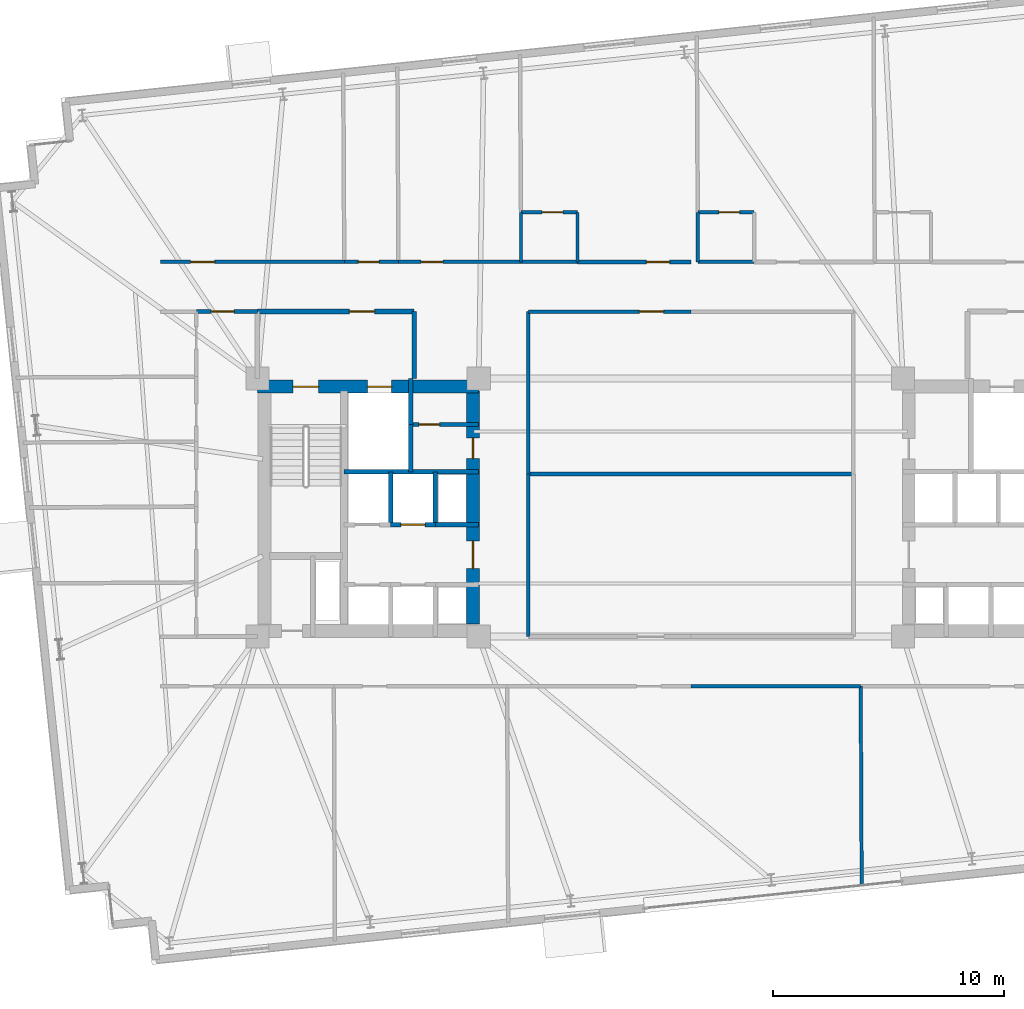
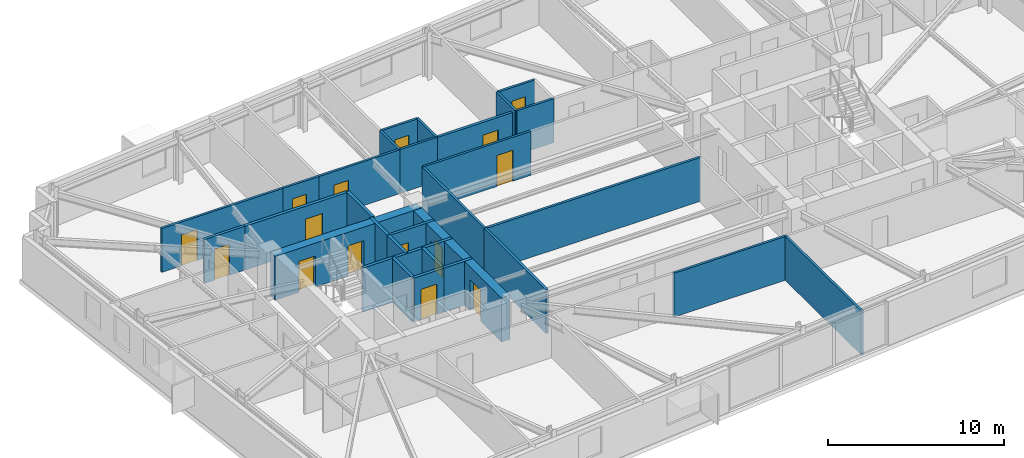
# One storey, part 17 of 23: 30 walls, 15 doors, 15 openings.
"""IFC4 building model written with IfcOpenShell, lengths in metres."""

from ifc_helpers import new_model, si_unit, direction, frame, frame_2d, origin, place, context, subcontext, project, spatial, rectangle, extrude, material, layer, layer_set, type_object, element, fill, save


model = new_model("IFC4")

# Units and contexts
model_context = context("Model", 3, precision=1e-05, world=origin(), true_north=direction((0.0, 1.0)))
body_context = subcontext(model_context, "Body", "Model", "MODEL_VIEW")
ifc_project = project(units=[si_unit("LENGTHUNIT", "METRE"), si_unit("AREAUNIT", "SQUARE_METRE"), si_unit("VOLUMEUNIT", "CUBIC_METRE"), si_unit("PLANEANGLEUNIT", "RADIAN"), si_unit("MASSUNIT", "GRAM", prefix="KILO")], contexts=[model_context])

# Site, building, storey
site_placement = place(None, origin())
site = spatial("IfcSite", under=ifc_project, at=site_placement, CompositionType="ELEMENT")
building_placement = place(site_placement, origin())
building = spatial("IfcBuilding", under=site, at=building_placement, Name="Qobustan Lattice House", CompositionType="ELEMENT")
storey_placement = place(building_placement, frame((0.0, 0.0, 102.449951171875)))
storey = spatial("IfcBuildingStorey", under=building, at=storey_placement, Name="L28", CompositionType="ELEMENT", Elevation=102.449951171875)

# Wall, openings, doors
ifc_material_1 = material(Name="Concrete C60/75", Category="concrete")
ifc_layer_1 = layer(ifc_material_1, 0.56005859375)
ifc_layer_set_1 = layer_set([ifc_layer_1], Name="Concrete C60/75")
wall_type_1 = type_object("IfcWallType", Name="WAL-CORE-600", PredefinedType="SHEAR", material=ifc_layer_set_1)
wall_1_placement = place(storey_placement, frame((-18.800048828125, 5.239990234375, 0.0), z_axis=(0.0, 0.0, 1.0), x_axis=(1.0, 0.0, 0.0)))
wall_1 = element("IfcWall", 1, at=wall_1_placement, inside=storey, type_object=wall_type_1, Name="L28 split-core shear wall CW-N", PredefinedType="SHEAR", context=body_context, shape_type="SweptSolid", body=[
    extrude(rectangle(XDim=9.60009765625, YDim=0.56005859375, at=frame_2d((4.800048828125, 0.0))), origin(), (0.0, 0.0, 1.0), 3.045166015625),
])
opening_1_placement = place(wall_1_placement, frame((1.550048828125, 0.0, 0.0)))
opening_1 = element("IfcOpeningElement", 2, at=opening_1_placement, cuts=wall_1, Name="Opening SD-01", PredefinedType="OPENING", context=body_context, shape_type="SweptSolid", body=[
    extrude(rectangle(XDim=1.10009765625, YDim=2.14990234375, at=frame_2d((0.550048828125, 1.074951171875))), frame((0.0, 0.2900390625, 0.0), z_axis=(0.0, -1.0, 0.0), x_axis=(1.0, 0.0, 0.0)), (0.0, 0.0, 1.0), 0.580078125),
])
opening_2_placement = place(wall_1_placement, frame((4.77490234375, 0.0, 0.0)))
opening_2 = element("IfcOpeningElement", 3, at=opening_2_placement, cuts=wall_1, Name="Opening LD-01", PredefinedType="OPENING", context=body_context, shape_type="SweptSolid", body=[
    extrude(rectangle(XDim=1.050048828125, YDim=2.10009765625, at=frame_2d((0.52490234375, 1.050048828125))), frame((0.0, 0.2900390625, 0.0), z_axis=(0.0, -1.0, 0.0), x_axis=(1.0, 0.0, 0.0)), (0.0, 0.0, 1.0), 0.580078125),
])
ifc_material_2 = material(Name="Persian walnut timber and steel frame door", Category="steel")
door_type_1 = type_object("IfcDoorType", Name="DOR-LIFT-LD-1050x2100", OperationType="NOTDEFINED", PredefinedType="DOOR", material=ifc_material_2)
door_1_placement = place(opening_2_placement, origin())
door_1 = element("IfcDoor", 4, at=door_1_placement, inside=storey, type_object=door_type_1, Name="L28 firefighting lift FF-W landing door", OperationType="DOUBLE_DOOR_SLIDING", OverallHeight=2.10009765625, OverallWidth=1.050048828125, PredefinedType="DOOR", context=body_context, shape_type="SweptSolid", body=[
    extrude(rectangle(XDim=1.050048828125, YDim=2.10009765625, at=frame_2d((0.52490234375, 1.050048828125))), frame((0.0, 0.02490234375, 0.0), z_axis=(0.0, -1.0, 0.0), x_axis=(1.0, 0.0, 0.0)), (0.0, 0.0, 1.0), 0.050048828125),
])
fill(opening_2, door_1)
ifc_material_3 = material(Name="Persian walnut timber and steel frame door", Category="steel")
door_type_2 = type_object("IfcDoorType", Name="DOR-STAIR-FD-1100x2150", OperationType="NOTDEFINED", PredefinedType="DOOR", material=ifc_material_3)
door_2_placement = place(opening_1_placement, origin())
door_2 = element("IfcDoor", 5, at=door_2_placement, inside=storey, type_object=door_type_2, Name="L28 exit stair ST-W1 fire door", OperationType="SINGLE_SWING_LEFT", OverallHeight=2.14990234375, OverallWidth=1.10009765625, PredefinedType="DOOR", context=body_context, shape_type="SweptSolid", body=[
    extrude(rectangle(XDim=1.10009765625, YDim=2.14990234375, at=frame_2d((0.550048828125, 1.074951171875))), frame((0.0, 0.02490234375, 0.0), z_axis=(0.0, -1.0, 0.0), x_axis=(1.0, 0.0, 0.0)), (0.0, 0.0, 1.0), 0.050048828125),
])
fill(opening_1, door_2)

wall_2_placement = place(storey_placement, frame((-9.449951171875, -5.050048828125, 0.0), z_axis=(0.0, 0.0, 1.0), x_axis=(0.0, 1.0, 0.0)))
wall_2 = element("IfcWall", 6, at=wall_2_placement, inside=storey, type_object=wall_type_1, Name="L28 split-core shear wall CW-E", PredefinedType="SHEAR", context=body_context, shape_type="SweptSolid", body=[
    extrude(rectangle(XDim=10.10009765625, YDim=0.56005859375, at=frame_2d((5.050048828125, 0.0))), origin(), (0.0, 0.0, 1.0), 3.045166015625),
])
opening_3_placement = place(wall_2_placement, frame((7.175048828125, 0.0, 0.0)))
opening_3 = element("IfcOpeningElement", 7, at=opening_3_placement, cuts=wall_2, Name="Opening RD-01", PredefinedType="OPENING", context=body_context, shape_type="SweptSolid", body=[
    extrude(rectangle(XDim=0.89990234375, YDim=2.10009765625, at=frame_2d((0.449951171875, 1.050048828125))), frame((0.0, 0.2900390625, 0.0), z_axis=(0.0, -1.0, 0.0), x_axis=(1.0, 0.0, 0.0)), (0.0, 0.0, 1.0), 0.580078125),
])
opening_4_placement = place(wall_2_placement, frame((2.39990234375, 0.0, 0.0)))
opening_4 = element("IfcOpeningElement", 8, at=opening_4_placement, cuts=wall_2, Name="Opening FD-01", PredefinedType="OPENING", context=body_context, shape_type="SweptSolid", body=[
    extrude(rectangle(XDim=1.199951171875, YDim=2.14990234375, at=frame_2d((0.60009765625, 1.074951171875))), frame((0.0, 0.2900390625, 0.0), z_axis=(0.0, -1.0, 0.0), x_axis=(1.0, 0.0, 0.0)), (0.0, 0.0, 1.0), 0.580078125),
])
ifc_material_4 = material(Name="Persian walnut timber and steel frame door", Category="steel")
door_type_3 = type_object("IfcDoorType", Name="DOR-LOBBY-FD-1200x2150", OperationType="NOTDEFINED", PredefinedType="DOOR", material=ifc_material_4)
door_3_placement = place(opening_4_placement, origin())
door_3 = element("IfcDoor", 9, at=door_3_placement, inside=storey, type_object=door_type_3, Name="L28 West passenger lift lobby fire door", OperationType="SINGLE_SWING_RIGHT", OverallHeight=2.14990234375, OverallWidth=1.199951171875, PredefinedType="DOOR", context=body_context, shape_type="SweptSolid", body=[
    extrude(rectangle(XDim=1.199951171875, YDim=2.14990234375, at=frame_2d((0.60009765625, 1.074951171875))), frame((0.0, 0.02490234375, 0.0), z_axis=(0.0, -1.0, 0.0), x_axis=(1.0, 0.0, 0.0)), (0.0, 0.0, 1.0), 0.050048828125),
])
fill(opening_4, door_3)
ifc_material_5 = material(Name="Persian walnut timber and steel frame door", Category="steel")
door_type_4 = type_object("IfcDoorType", Name="DOR-RISER-FD-900x2100", OperationType="NOTDEFINED", PredefinedType="DOOR", material=ifc_material_5)
door_4_placement = place(opening_3_placement, origin())
door_4 = element("IfcDoor", 10, at=door_4_placement, inside=storey, type_object=door_type_4, Name="L28 Core utility lobby fire door", OperationType="SINGLE_SWING_LEFT", OverallHeight=2.10009765625, OverallWidth=0.89990234375, PredefinedType="DOOR", context=body_context, shape_type="SweptSolid", body=[
    extrude(rectangle(XDim=0.89990234375, YDim=2.10009765625, at=frame_2d((0.449951171875, 1.050048828125))), frame((0.0, 0.02490234375, 0.0), z_axis=(0.0, -1.0, 0.0), x_axis=(1.0, 0.0, 0.0)), (0.0, 0.0, 1.0), 0.050048828125),
])
fill(opening_3, door_4)

# Wall, opening, door
ifc_material_6 = material(Name="Gypsum fireboard acoustic partition", Category="gypsum")
ifc_layer_2 = layer(ifc_material_6, 0.179931640625)
ifc_layer_set_2 = layer_set([ifc_layer_2], Name="Gypsum fireboard acoustic partition")
wall_type_2 = type_object("IfcWallType", Name="WAL-FIRE-180", PredefinedType="PARTITIONING", material=ifc_layer_set_2)
wall_3_placement = place(storey_placement, frame((-9.199951171875, 3.60009765625, 0.0), z_axis=(0.0, 0.0, 1.0), x_axis=(-1.0, 0.0, 0.0)))
wall_3 = element("IfcWall", 11, at=wall_3_placement, inside=storey, type_object=wall_type_2, Name="L28 interior partition 7", PredefinedType="PARTITIONING", context=body_context, shape_type="SweptSolid", body=[
    extrude(rectangle(XDim=2.949951171875, YDim=0.179931640625, at=frame_2d((1.47509765625, 0.0))), origin(), (0.0, 0.0, 1.0), 3.045166015625),
])
opening_5_placement = place(wall_3_placement, frame((1.699951171875, 0.0, 0.0)))
opening_5 = element("IfcOpeningElement", 12, at=opening_5_placement, cuts=wall_3, Name="Opening RD-01", PredefinedType="OPENING", context=body_context, shape_type="SweptSolid", body=[
    extrude(rectangle(XDim=0.89990234375, YDim=2.10009765625, at=frame_2d((0.449951171875, 1.050048828125))), frame((0.0, 0.099853515625, 0.0), z_axis=(0.0, -1.0, 0.0), x_axis=(1.0, 0.0, 0.0)), (0.0, 0.0, 1.0), 0.199951171875),
])
door_5_placement = place(opening_5_placement, origin())
door_5 = element("IfcDoor", 13, at=door_5_placement, inside=storey, type_object=door_type_4, Name="L28 Core utility lobby to Cleaner store door", OperationType="SINGLE_SWING_RIGHT", OverallHeight=2.10009765625, OverallWidth=0.89990234375, PredefinedType="DOOR", context=body_context, shape_type="SweptSolid", body=[
    extrude(rectangle(XDim=0.89990234375, YDim=2.10009765625, at=frame_2d((0.449951171875, 1.050048828125))), frame((0.0, 0.02490234375, 0.0), z_axis=(0.0, -1.0, 0.0), x_axis=(1.0, 0.0, 0.0)), (0.0, 0.0, 1.0), 0.050048828125),
])
fill(opening_5, door_5)

wall_4_placement = place(storey_placement, frame((-18.800048828125, 8.5, 0.0), z_axis=(0.0, 0.0, 1.0), x_axis=(-1.0, 0.0, 0.0)))
wall_4 = element("IfcWall", 14, at=wall_4_placement, inside=storey, type_object=wall_type_2, Name="L28 interior partition 37", PredefinedType="PARTITIONING", context=body_context, shape_type="SweptSolid", body=[
    extrude(rectangle(XDim=2.64990234375, YDim=0.179931640625, at=frame_2d((1.324951171875, 0.0))), origin(), (0.0, 0.0, 1.0), 3.045166015625),
])
opening_6_placement = place(wall_4_placement, frame((1.0087890625, 0.0, 0.0)))
opening_6 = element("IfcOpeningElement", 15, at=opening_6_placement, cuts=wall_4, Name="Opening FD-02", PredefinedType="OPENING", context=body_context, shape_type="SweptSolid", body=[
    extrude(rectangle(XDim=1.0, YDim=2.14990234375, at=frame_2d((0.5, 1.074951171875))), frame((0.0, 0.099853515625, 0.0), z_axis=(0.0, -1.0, 0.0), x_axis=(1.0, 0.0, 0.0)), (0.0, 0.0, 1.0), 0.199951171875),
])
ifc_material_7 = material(Name="Persian walnut timber and steel frame door", Category="steel")
door_type_5 = type_object("IfcDoorType", Name="DOR-UNIT-FD-1000x2150", OperationType="NOTDEFINED", PredefinedType="DOOR", material=ifc_material_7)
door_6_placement = place(opening_6_placement, origin())
door_6 = element("IfcDoor", 16, at=door_6_placement, inside=storey, type_object=door_type_5, Name="L28 North-west floor corridor to Residence entrance hall L28W door", OperationType="SINGLE_SWING_RIGHT", OverallHeight=2.14990234375, OverallWidth=1.0, PredefinedType="DOOR", context=body_context, shape_type="SweptSolid", body=[
    extrude(rectangle(XDim=1.0, YDim=2.14990234375, at=frame_2d((0.5, 1.074951171875))), frame((0.0, 0.02490234375, 0.0), z_axis=(0.0, -1.0, 0.0), x_axis=(1.0, 0.0, 0.0)), (0.0, 0.0, 1.0), 0.050048828125),
])
fill(opening_6, door_6)

wall_5_placement = place(storey_placement, frame((-4.9169921875, 10.64990234375, 0.0), z_axis=(0.0, 0.0, 1.0), x_axis=(1.0, 0.0, 0.0)))
wall_5 = element("IfcWall", 17, at=wall_5_placement, inside=storey, type_object=wall_type_2, Name="L28 interior partition 42", PredefinedType="PARTITIONING", context=body_context, shape_type="SweptSolid", body=[
    extrude(rectangle(XDim=4.9169921875, YDim=0.179931640625, at=frame_2d((2.45849609375, 0.0))), origin(), (0.0, 0.0, 1.0), 3.045166015625),
])
opening_7_placement = place(wall_5_placement, frame((2.992431640625, 0.0, 0.0)))
opening_7 = element("IfcOpeningElement", 18, at=opening_7_placement, cuts=wall_5, Name="Opening FD-02", PredefinedType="OPENING", context=body_context, shape_type="SweptSolid", body=[
    extrude(rectangle(XDim=1.0, YDim=2.14990234375, at=frame_2d((0.5, 1.074951171875))), frame((0.0, 0.099853515625, 0.0), z_axis=(0.0, -1.0, 0.0), x_axis=(1.0, 0.0, 0.0)), (0.0, 0.0, 1.0), 0.199951171875),
])
door_7_placement = place(opening_7_placement, origin())
door_7 = element("IfcDoor", 19, at=door_7_placement, inside=storey, type_object=door_type_5, Name="L28 North-west floor corridor to Kitchenette and studio apartment L28-N3 door", OperationType="SINGLE_SWING_RIGHT", OverallHeight=2.14990234375, OverallWidth=1.0, PredefinedType="DOOR", context=body_context, shape_type="SweptSolid", body=[
    extrude(rectangle(XDim=1.0, YDim=2.14990234375, at=frame_2d((0.5, 1.074951171875))), frame((0.0, 0.02490234375, 0.0), z_axis=(0.0, -1.0, 0.0), x_axis=(1.0, 0.0, 0.0)), (0.0, 0.0, 1.0), 0.050048828125),
])
fill(opening_7, door_7)

ifc_material_8 = material(Name="Acoustic twin-stud gypsum partition", Category="gypsum")
ifc_layer_3 = layer(ifc_material_8, 0.14990234375)
ifc_layer_set_3 = layer_set([ifc_layer_3], Name="Acoustic twin-stud gypsum partition")
wall_type_3 = type_object("IfcWallType", Name="WAL-PART-150", PredefinedType="PARTITIONING", material=ifc_layer_set_3)
wall_6_placement = place(storey_placement, frame((-23.0, 10.64990234375, 0.0), z_axis=(0.0, 0.0, 1.0), x_axis=(1.0, 0.0, 0.0)))
wall_6 = element("IfcWall", 20, at=wall_6_placement, inside=storey, type_object=wall_type_3, Name="L28 interior partition 39", PredefinedType="PARTITIONING", context=body_context, shape_type="SweptSolid", body=[
    extrude(rectangle(XDim=7.967041015625, YDim=0.14990234375, at=frame_2d((3.9833984375, 0.0))), origin(), (0.0, 0.0, 1.0), 3.045166015625),
])
opening_8_placement = place(wall_6_placement, frame((1.299560546875, 0.0, 0.0)))
opening_8 = element("IfcOpeningElement", 21, at=opening_8_placement, cuts=wall_6, Name="Opening ID-02", PredefinedType="OPENING", context=body_context, shape_type="SweptSolid", body=[
    extrude(rectangle(XDim=1.050048828125, YDim=2.14990234375, at=frame_2d((0.52490234375, 1.074951171875))), frame((0.0, 0.0849609375, 0.0), z_axis=(0.0, -1.0, 0.0), x_axis=(1.0, 0.0, 0.0)), (0.0, 0.0, 1.0), 0.169921875),
])
ifc_material_9 = material(Name="Persian walnut timber and steel frame door", Category="steel")
door_type_6 = type_object("IfcDoorType", Name="DOR-STUDY-1050x2150", OperationType="NOTDEFINED", PredefinedType="DOOR", material=ifc_material_9)
door_8_placement = place(opening_8_placement, origin())
door_8 = element("IfcDoor", 22, at=door_8_placement, inside=storey, type_object=door_type_6, Name="L28 North-west floor corridor to Focus study room N1 door", OperationType="SINGLE_SWING_LEFT", OverallHeight=2.14990234375, OverallWidth=1.050048828125, PredefinedType="DOOR", context=body_context, shape_type="SweptSolid", body=[
    extrude(rectangle(XDim=1.050048828125, YDim=2.14990234375, at=frame_2d((0.52490234375, 1.074951171875))), frame((0.0, 0.02490234375, 0.0), z_axis=(0.0, -1.0, 0.0), x_axis=(1.0, 0.0, 0.0)), (0.0, 0.0, 1.0), 0.050048828125),
])
fill(opening_8, door_8)

wall_7_placement = place(storey_placement, frame((-12.68310546875, 10.64990234375, 0.0), z_axis=(0.0, 0.0, 1.0), x_axis=(1.0, 0.0, 0.0)))
wall_7 = element("IfcWall", 23, at=wall_7_placement, inside=storey, type_object=wall_type_3, Name="L28 interior partition 41", PredefinedType="PARTITIONING", context=body_context, shape_type="SweptSolid", body=[
    extrude(rectangle(XDim=5.316162109375, YDim=0.14990234375, at=frame_2d((2.658203125, 0.0))), origin(), (0.0, 0.0, 1.0), 3.045166015625),
])
opening_9_placement = place(wall_7_placement, frame((0.980712890625, 0.0, 0.0)))
opening_9 = element("IfcOpeningElement", 24, at=opening_9_placement, cuts=wall_7, Name="Opening ID-01", PredefinedType="OPENING", context=body_context, shape_type="SweptSolid", body=[
    extrude(rectangle(XDim=0.949951171875, YDim=2.10009765625, at=frame_2d((0.47509765625, 1.050048828125))), frame((0.0, 0.0849609375, 0.0), z_axis=(0.0, -1.0, 0.0), x_axis=(1.0, 0.0, 0.0)), (0.0, 0.0, 1.0), 0.169921875),
])
ifc_material_10 = material(Name="Persian walnut timber and steel frame door", Category="steel")
door_type_7 = type_object("IfcDoorType", Name="DOR-ROOM-950x2100", OperationType="NOTDEFINED", PredefinedType="DOOR", material=ifc_material_10)
door_9_placement = place(opening_9_placement, origin())
door_9 = element("IfcDoor", 25, at=door_9_placement, inside=storey, type_object=door_type_7, Name="L28 North-west floor corridor to Laundry utility room door", OperationType="SINGLE_SWING_LEFT", OverallHeight=2.10009765625, OverallWidth=0.949951171875, PredefinedType="DOOR", context=body_context, shape_type="SweptSolid", body=[
    extrude(rectangle(XDim=0.949951171875, YDim=2.10009765625, at=frame_2d((0.47509765625, 1.050048828125))), frame((0.0, 0.02490234375, 0.0), z_axis=(0.0, -1.0, 0.0), x_axis=(1.0, 0.0, 0.0)), (0.0, 0.0, 1.0), 0.050048828125),
])
fill(opening_9, door_9)

wall_8_placement = place(storey_placement, frame((0.0, 8.5, 0.0), z_axis=(0.0, 0.0, 1.0), x_axis=(-1.0, 0.0, 0.0)))
wall_8 = element("IfcWall", 26, at=wall_8_placement, inside=storey, type_object=wall_type_3, Name="L28 interior partition 44", PredefinedType="PARTITIONING", context=body_context, shape_type="SweptSolid", body=[
    extrude(rectangle(XDim=7.050048828125, YDim=0.14990234375, at=frame_2d((3.52490234375, 0.0))), origin(), (0.0, 0.0, 1.0), 3.045166015625),
])
opening_10_placement = place(wall_8_placement, frame((1.18505859375, 0.0, 0.0)))
opening_10 = element("IfcOpeningElement", 27, at=opening_10_placement, cuts=wall_8, Name="Opening ID-02", PredefinedType="OPENING", context=body_context, shape_type="SweptSolid", body=[
    extrude(rectangle(XDim=1.050048828125, YDim=2.14990234375, at=frame_2d((0.52490234375, 1.074951171875))), frame((0.0, 0.0849609375, 0.0), z_axis=(0.0, -1.0, 0.0), x_axis=(1.0, 0.0, 0.0)), (0.0, 0.0, 1.0), 0.169921875),
])
door_10_placement = place(opening_10_placement, origin())
door_10 = element("IfcDoor", 28, at=door_10_placement, inside=storey, type_object=door_type_6, Name="L28 North-west floor corridor to Central collaborative study room door", OperationType="SINGLE_SWING_LEFT", OverallHeight=2.14990234375, OverallWidth=1.050048828125, PredefinedType="DOOR", context=body_context, shape_type="SweptSolid", body=[
    extrude(rectangle(XDim=1.050048828125, YDim=2.14990234375, at=frame_2d((0.52490234375, 1.074951171875))), frame((0.0, 0.02490234375, 0.0), z_axis=(0.0, -1.0, 0.0), x_axis=(1.0, 0.0, 0.0)), (0.0, 0.0, 1.0), 0.050048828125),
])
fill(opening_10, door_10)

# Walls
wall_9_placement = place(storey_placement, frame((7.366943359375, -7.75, 0.0), z_axis=(0.0, 0.0, 1.0), x_axis=(-1.0, 0.0, 0.0)))
element("IfcWall", 29, at=wall_9_placement, inside=storey, type_object=wall_type_3, Name="L28 interior partition 62", PredefinedType="PARTITIONING", context=body_context, shape_type="SweptSolid", body=[
    extrude(rectangle(XDim=7.366943359375, YDim=0.14990234375, at=frame_2d((3.68359375, 0.0))), origin(), (0.0, 0.0, 1.0), 3.045166015625),
])
wall_10_placement = place(storey_placement, frame((-7.050048828125, 8.5, 0.0), z_axis=(0.0, 0.0, 1.0), x_axis=(0.0, -1.0, 0.0)))
element("IfcWall", 30, at=wall_10_placement, inside=storey, type_object=wall_type_3, Name="L28 interior partition 66", PredefinedType="PARTITIONING", context=body_context, shape_type="SweptSolid", body=[
    extrude(rectangle(XDim=7.050048828125, YDim=0.14990234375, at=frame_2d((3.52490234375, 0.0))), origin(), (0.0, 0.0, 1.0), 3.045166015625),
])
wall_11_placement = place(storey_placement, frame((7.366943359375, -7.75, 0.0), z_axis=(0.0, 0.0, 1.0), x_axis=(0.005084967311, -0.99998707147, 0.0)))
element("IfcWall", 31, at=wall_11_placement, inside=storey, type_object=wall_type_3, Name="L28 interior partition 107", PredefinedType="PARTITIONING", context=body_context, shape_type="SweptSolid", body=[
    extrude(rectangle(XDim=8.64208984375, YDim=0.14990234375, at=frame_2d((4.321044921875, 0.0))), origin(), (0.0, 0.0, 1.0), 3.045166015625),
])
ifc_material_11 = material(Name="High-mass acoustic twin-stud partition", Category="gypsum")
ifc_layer_4 = layer(ifc_material_11, 0.1650390625)
ifc_layer_set_4 = layer_set([ifc_layer_4], Name="High-mass acoustic twin-stud partition")
wall_type_4 = type_object("IfcWallType", Name="WAL-PART-165", PredefinedType="PARTITIONING", material=ifc_layer_set_4)
wall_12_placement = place(storey_placement, frame((-7.050048828125, 1.449951171875, 0.0), z_axis=(0.0, 0.0, 1.0), x_axis=(0.0, -1.0, 0.0)))
element("IfcWall", 32, at=wall_12_placement, inside=storey, type_object=wall_type_4, Name="L28 interior partition 65", PredefinedType="PARTITIONING", context=body_context, shape_type="SweptSolid", body=[
    extrude(rectangle(XDim=7.050048828125, YDim=0.1650390625, at=frame_2d((3.52490234375, 0.0))), origin(), (0.0, 0.0, 1.0), 3.045166015625),
])
wall_13_placement = place(storey_placement, frame((-7.050048828125, 1.449951171875, 0.0), z_axis=(0.0, 0.0, 1.0), x_axis=(1.0, 0.0, 0.0)))
element("IfcWall", 33, at=wall_13_placement, inside=storey, type_object=wall_type_4, Name="L28 interior partition 108", PredefinedType="PARTITIONING", context=body_context, shape_type="SweptSolid", body=[
    extrude(rectangle(XDim=14.10009765625, YDim=0.1650390625, at=frame_2d((7.050048828125, 0.0))), origin(), (0.0, 0.0, 1.0), 3.045166015625),
])

# Wall, opening, door
ifc_material_12 = material(Name="Two-hour gypsum fireboard acoustic partition", Category="gypsum")
ifc_layer_5 = layer(ifc_material_12, 0.199951171875)
ifc_layer_set_5 = layer_set([ifc_layer_5], Name="Two-hour gypsum fireboard acoustic partition")
wall_type_5 = type_object("IfcWallType", Name="WAL-PROT-200", PredefinedType="PARTITIONING", material=ifc_layer_set_5)
wall_14_placement = place(storey_placement, frame((-12.0, 8.5, 0.0), z_axis=(0.0, 0.0, 1.0), x_axis=(-1.0, 0.0, 0.0)))
wall_14 = element("IfcWall", 34, at=wall_14_placement, inside=storey, type_object=wall_type_5, Name="L28 interior partition 4", PredefinedType="PARTITIONING", context=body_context, shape_type="SweptSolid", body=[
    extrude(rectangle(XDim=6.800048828125, YDim=0.199951171875, at=frame_2d((3.39990234375, 0.0))), origin(), (0.0, 0.0, 1.0), 3.045166015625),
])
opening_11_placement = place(wall_14_placement, frame((1.715087890625, 0.0, 0.0)))
opening_11 = element("IfcOpeningElement", 35, at=opening_11_placement, cuts=wall_14, Name="Opening SD-01", PredefinedType="OPENING", context=body_context, shape_type="SweptSolid", body=[
    extrude(rectangle(XDim=1.10009765625, YDim=2.14990234375, at=frame_2d((0.550048828125, 1.074951171875))), frame((0.0, 0.10986328125, 0.0), z_axis=(0.0, -1.0, 0.0), x_axis=(1.0, 0.0, 0.0)), (0.0, 0.0, 1.0), 0.219970703125),
])
door_11_placement = place(opening_11_placement, origin())
door_11 = element("IfcDoor", 36, at=door_11_placement, inside=storey, type_object=door_type_2, Name="L28 West firefighting lift lobby to North-west floor corridor door", OperationType="SINGLE_SWING_LEFT", OverallHeight=2.14990234375, OverallWidth=1.10009765625, PredefinedType="DOOR", context=body_context, shape_type="SweptSolid", body=[
    extrude(rectangle(XDim=1.10009765625, YDim=2.14990234375, at=frame_2d((0.550048828125, 1.074951171875))), frame((0.0, 0.02490234375, 0.0), z_axis=(0.0, -1.0, 0.0), x_axis=(1.0, 0.0, 0.0)), (0.0, 0.0, 1.0), 0.050048828125),
])
fill(opening_11, door_11)

# Walls
wall_15_placement = place(storey_placement, frame((-12.0, 5.60009765625, 0.0), z_axis=(0.0, 0.0, 1.0), x_axis=(0.0, 1.0, 0.0)))
element("IfcWall", 37, at=wall_15_placement, inside=storey, type_object=wall_type_5, Name="L28 interior partition 5", PredefinedType="PARTITIONING", context=body_context, shape_type="SweptSolid", body=[
    extrude(rectangle(XDim=2.89990234375, YDim=0.199951171875, at=frame_2d((1.449951171875, 0.0))), origin(), (0.0, 0.0, 1.0), 3.045166015625),
])
ifc_material_13 = material(Name="Concrete C40/50", Category="concrete")
ifc_layer_6 = layer(ifc_material_13, 0.199951171875)
ifc_layer_set_6 = layer_set([ifc_layer_6], Name="Concrete C40/50")
wall_type_6 = type_object("IfcWallType", Name="WAL-SHAFT-200", PredefinedType="PARTITIONING", material=ifc_layer_set_6)
wall_16_placement = place(storey_placement, frame((-12.14990234375, 1.550048828125, 0.0), z_axis=(0.0, 0.0, 1.0), x_axis=(0.0, 1.0, 0.0)))
element("IfcWall", 38, at=wall_16_placement, inside=storey, type_object=wall_type_6, Name="L28 interior partition 2", PredefinedType="PARTITIONING", context=body_context, shape_type="SweptSolid", body=[
    extrude(rectangle(XDim=2.050048828125, YDim=0.199951171875, at=frame_2d((1.02490234375, 0.0))), origin(), (0.0, 0.0, 1.0), 3.045166015625),
])
wall_17_placement = place(storey_placement, frame((-12.14990234375, 3.60009765625, 0.0), z_axis=(0.0, 0.0, 1.0), x_axis=(0.0, 1.0, 0.0)))
element("IfcWall", 39, at=wall_17_placement, inside=storey, type_object=wall_type_6, Name="L28 interior partition 3", PredefinedType="PARTITIONING", context=body_context, shape_type="SweptSolid", body=[
    extrude(rectangle(XDim=2.0, YDim=0.199951171875, at=frame_2d((1.0, 0.0))), origin(), (0.0, 0.0, 1.0), 3.045166015625),
])

# Wall, opening, door
wall_18_placement = place(storey_placement, frame((-11.080078125, -0.75, 0.0), z_axis=(0.0, 0.0, 1.0), x_axis=(-1.0, 0.0, 0.0)))
wall_18 = element("IfcWall", 40, at=wall_18_placement, inside=storey, type_object=wall_type_6, Name="L28 interior partition 13", PredefinedType="PARTITIONING", context=body_context, shape_type="SweptSolid", body=[
    extrude(rectangle(XDim=1.93994140625, YDim=0.199951171875, at=frame_2d((0.969970703125, 0.0))), origin(), (0.0, 0.0, 1.0), 3.045166015625),
])
opening_12_placement = place(wall_18_placement, frame((0.445068359375, 0.0, 0.0)))
opening_12 = element("IfcOpeningElement", 41, at=opening_12_placement, cuts=wall_18, Name="Opening LD-01", PredefinedType="OPENING", context=body_context, shape_type="SweptSolid", body=[
    extrude(rectangle(XDim=1.050048828125, YDim=2.10009765625, at=frame_2d((0.52490234375, 1.050048828125))), frame((0.0, 0.10986328125, 0.0), z_axis=(0.0, -1.0, 0.0), x_axis=(1.0, 0.0, 0.0)), (0.0, 0.0, 1.0), 0.219970703125),
])
door_12_placement = place(opening_12_placement, origin())
door_12 = element("IfcDoor", 42, at=door_12_placement, inside=storey, type_object=door_type_1, Name="L28 lift landing door", OperationType="DOUBLE_DOOR_SLIDING", OverallHeight=2.10009765625, OverallWidth=1.050048828125, PredefinedType="DOOR", context=body_context, shape_type="SweptSolid", body=[
    extrude(rectangle(XDim=1.050048828125, YDim=2.10009765625, at=frame_2d((0.52490234375, 1.050048828125))), frame((0.0, 0.02490234375, 0.0), z_axis=(0.0, -1.0, 0.0), x_axis=(1.0, 0.0, 0.0)), (0.0, 0.0, 1.0), 0.050048828125),
])
fill(opening_12, door_12)

# Walls
wall_19_placement = place(storey_placement, frame((-9.199951171875, -0.75, 0.0), z_axis=(0.0, 0.0, 1.0), x_axis=(-1.0, 0.0, 0.0)))
element("IfcWall", 43, at=wall_19_placement, inside=storey, type_object=wall_type_6, Name="L28 interior partition 14", PredefinedType="PARTITIONING", context=body_context, shape_type="SweptSolid", body=[
    extrude(rectangle(XDim=1.880126953125, YDim=0.199951171875, at=frame_2d((0.93994140625, 0.0))), origin(), (0.0, 0.0, 1.0), 3.045166015625),
])
for number, where, z_axis, x_axis, name in (
    (44, (-13.02001953125, -0.75, 0.0), (0.0, 0.0, 1.0), (0.0, 1.0, 0.0), "L28 interior partition 18"),
    (45, (-11.080078125, -0.75, 0.0), (0.0, 0.0, 1.0), (0.0, 1.0, 0.0), "L28 interior partition 19"),
):
    element("IfcWall", number, at=place(storey_placement, frame(where, z_axis=z_axis, x_axis=x_axis)), inside=storey, type_object=wall_type_6, Name=name, PredefinedType="PARTITIONING", context=body_context, shape_type="SweptSolid", body=[
        extrude(rectangle(XDim=2.300048828125, YDim=0.199951171875, at=frame_2d((1.14990234375, 0.0))), origin(), (0.0, 0.0, 1.0), 3.045166015625),
    ])
wall_20_placement = place(storey_placement, frame((-15.050048828125, 1.550048828125, 0.0), z_axis=(0.0, 0.0, 1.0), x_axis=(1.0, 0.0, 0.0)))
element("IfcWall", 46, at=wall_20_placement, inside=storey, type_object=wall_type_6, Name="L28 interior partition 109", PredefinedType="PARTITIONING", context=body_context, shape_type="SweptSolid", body=[
    extrude(rectangle(XDim=5.85009765625, YDim=0.199951171875, at=frame_2d((2.925048828125, 0.0))), origin(), (0.0, 0.0, 1.0), 3.045166015625),
])

# Wall, opening, door
ifc_material_14 = material(Name="Moisture-resistant acoustic plumbing wall", Category="gypsum")
ifc_layer_7 = layer(ifc_material_14, 0.14990234375)
ifc_layer_set_7 = layer_set([ifc_layer_7], Name="Moisture-resistant acoustic plumbing wall")
wall_type_7 = type_object("IfcWallType", Name="WAL-WET-150", PredefinedType="PLUMBINGWALL", material=ifc_layer_set_7)
wall_21_placement = place(storey_placement, frame((-15.032958984375, 10.64990234375, 0.0), z_axis=(0.0, 0.0, 1.0), x_axis=(1.0, 0.0, 0.0)))
wall_21 = element("IfcWall", 47, at=wall_21_placement, inside=storey, type_object=wall_type_7, Name="L28 interior partition 40", PredefinedType="PLUMBINGWALL", context=body_context, shape_type="SweptSolid", body=[
    extrude(rectangle(XDim=2.349853515625, YDim=0.14990234375, at=frame_2d((1.1748046875, 0.0))), origin(), (0.0, 0.0, 1.0), 3.045166015625),
])
opening_13_placement = place(wall_21_placement, frame((0.6162109375, 0.0, 0.0)))
opening_13 = element("IfcOpeningElement", 48, at=opening_13_placement, cuts=wall_21, Name="Opening WD-01", PredefinedType="OPENING", context=body_context, shape_type="SweptSolid", body=[
    extrude(rectangle(XDim=0.89990234375, YDim=2.10009765625, at=frame_2d((0.449951171875, 1.050048828125))), frame((0.0, 0.0849609375, 0.0), z_axis=(0.0, -1.0, 0.0), x_axis=(1.0, 0.0, 0.0)), (0.0, 0.0, 1.0), 0.169921875),
])
ifc_material_15 = material(Name="Persian walnut timber and steel frame door", Category="steel")
door_type_8 = type_object("IfcDoorType", Name="DOR-WET-900x2100", OperationType="NOTDEFINED", PredefinedType="DOOR", material=ifc_material_15)
door_13_placement = place(opening_13_placement, origin())
door_13 = element("IfcDoor", 49, at=door_13_placement, inside=storey, type_object=door_type_8, Name="L28 North-west floor corridor to Accessible WC door", OperationType="SINGLE_SWING_RIGHT", OverallHeight=2.10009765625, OverallWidth=0.89990234375, PredefinedType="DOOR", context=body_context, shape_type="SweptSolid", body=[
    extrude(rectangle(XDim=0.89990234375, YDim=2.10009765625, at=frame_2d((0.449951171875, 1.050048828125))), frame((0.0, 0.02490234375, 0.0), z_axis=(0.0, -1.0, 0.0), x_axis=(1.0, 0.0, 0.0)), (0.0, 0.0, 1.0), 0.050048828125),
])
fill(opening_13, door_13)

# Walls
for number, where, z_axis, x_axis, name in (
    (50, (-7.366943359375, 10.64990234375, 0.0), (0.0, 0.0, 1.0), (1.0, 0.0, 0.0), "L28 interior partition 43"),
    (51, (0.300048828125, 10.64990234375, 0.0), (0.0, 0.0, 1.0), (1.0, 0.0, 0.0), "L28 interior partition 48"),
):
    element("IfcWall", number, at=place(storey_placement, frame(where, z_axis=z_axis, x_axis=x_axis)), inside=storey, type_object=wall_type_7, Name=name, PredefinedType="PLUMBINGWALL", context=body_context, shape_type="SweptSolid", body=[
        extrude(rectangle(XDim=2.449951171875, YDim=0.14990234375, at=frame_2d((1.22509765625, 0.0))), origin(), (0.0, 0.0, 1.0), 3.045166015625),
    ])
wall_22_placement = place(storey_placement, frame((-7.366943359375, 12.800048828125, 0.0), z_axis=(0.0, 0.0, 1.0), x_axis=(0.0, -1.0, 0.0)))
element("IfcWall", 52, at=wall_22_placement, inside=storey, type_object=wall_type_7, Name="L28 interior partition 92", PredefinedType="PLUMBINGWALL", context=body_context, shape_type="SweptSolid", body=[
    extrude(rectangle(XDim=2.150146484375, YDim=0.14990234375, at=frame_2d((1.0751953125, 0.0))), origin(), (0.0, 0.0, 1.0), 3.045166015625),
])

# Wall, opening, door
wall_23_placement = place(storey_placement, frame((-4.9169921875, 12.800048828125, 0.0), z_axis=(0.0, 0.0, 1.0), x_axis=(-1.0, 0.0, 0.0)))
wall_23 = element("IfcWall", 53, at=wall_23_placement, inside=storey, type_object=wall_type_7, Name="L28 interior partition 93", PredefinedType="PLUMBINGWALL", context=body_context, shape_type="SweptSolid", body=[
    extrude(rectangle(XDim=2.449951171875, YDim=0.14990234375, at=frame_2d((1.22509765625, 0.0))), origin(), (0.0, 0.0, 1.0), 3.045166015625),
])
opening_14_placement = place(wall_23_placement, frame((0.62890625, 0.0, 0.0)))
opening_14 = element("IfcOpeningElement", 54, at=opening_14_placement, cuts=wall_23, Name="Opening WD-01", PredefinedType="OPENING", context=body_context, shape_type="SweptSolid", body=[
    extrude(rectangle(XDim=0.89990234375, YDim=2.10009765625, at=frame_2d((0.449951171875, 1.050048828125))), frame((0.0, 0.0849609375, 0.0), z_axis=(0.0, -1.0, 0.0), x_axis=(1.0, 0.0, 0.0)), (0.0, 0.0, 1.0), 0.169921875),
])
door_14_placement = place(opening_14_placement, origin())
door_14 = element("IfcDoor", 55, at=door_14_placement, inside=storey, type_object=door_type_8, Name="L28 Kitchenette and studio apartment L28-N3 to En-suite bathroom L28-N3 door", OperationType="SINGLE_SWING_RIGHT", OverallHeight=2.10009765625, OverallWidth=0.89990234375, PredefinedType="DOOR", context=body_context, shape_type="SweptSolid", body=[
    extrude(rectangle(XDim=0.89990234375, YDim=2.10009765625, at=frame_2d((0.449951171875, 1.050048828125))), frame((0.0, 0.02490234375, 0.0), z_axis=(0.0, -1.0, 0.0), x_axis=(1.0, 0.0, 0.0)), (0.0, 0.0, 1.0), 0.050048828125),
])
fill(opening_14, door_14)

# Walls
for number, where, z_axis, x_axis, name in (
    (56, (-4.9169921875, 10.64990234375, 0.0), (0.0, 0.0, 1.0), (0.0, 1.0, 0.0), "L28 interior partition 94"),
    (57, (0.300048828125, 12.800048828125, 0.0), (0.0, 0.0, 1.0), (0.0, -1.0, 0.0), "L28 interior partition 96"),
):
    element("IfcWall", number, at=place(storey_placement, frame(where, z_axis=z_axis, x_axis=x_axis)), inside=storey, type_object=wall_type_7, Name=name, PredefinedType="PLUMBINGWALL", context=body_context, shape_type="SweptSolid", body=[
        extrude(rectangle(XDim=2.150146484375, YDim=0.14990234375, at=frame_2d((1.0751953125, 0.0))), origin(), (0.0, 0.0, 1.0), 3.045166015625),
    ])

# Wall, opening, door
wall_24_placement = place(storey_placement, frame((2.75, 12.800048828125, 0.0), z_axis=(0.0, 0.0, 1.0), x_axis=(-1.0, 0.0, 0.0)))
wall_24 = element("IfcWall", 58, at=wall_24_placement, inside=storey, type_object=wall_type_7, Name="L28 interior partition 97", PredefinedType="PLUMBINGWALL", context=body_context, shape_type="SweptSolid", body=[
    extrude(rectangle(XDim=2.449951171875, YDim=0.14990234375, at=frame_2d((1.22509765625, 0.0))), origin(), (0.0, 0.0, 1.0), 3.045166015625),
])
opening_15_placement = place(wall_24_placement, frame((0.62890625, 0.0, 0.0)))
opening_15 = element("IfcOpeningElement", 59, at=opening_15_placement, cuts=wall_24, Name="Opening WD-01", PredefinedType="OPENING", context=body_context, shape_type="SweptSolid", body=[
    extrude(rectangle(XDim=0.89990234375, YDim=2.10009765625, at=frame_2d((0.449951171875, 1.050048828125))), frame((0.0, 0.0849609375, 0.0), z_axis=(0.0, -1.0, 0.0), x_axis=(1.0, 0.0, 0.0)), (0.0, 0.0, 1.0), 0.169921875),
])
door_15_placement = place(opening_15_placement, origin())
door_15 = element("IfcDoor", 60, at=door_15_placement, inside=storey, type_object=door_type_8, Name="L28 Kitchenette and studio apartment L28-N4 to En-suite bathroom L28-N4 door", OperationType="SINGLE_SWING_LEFT", OverallHeight=2.10009765625, OverallWidth=0.89990234375, PredefinedType="DOOR", context=body_context, shape_type="SweptSolid", body=[
    extrude(rectangle(XDim=0.89990234375, YDim=2.10009765625, at=frame_2d((0.449951171875, 1.050048828125))), frame((0.0, 0.02490234375, 0.0), z_axis=(0.0, -1.0, 0.0), x_axis=(1.0, 0.0, 0.0)), (0.0, 0.0, 1.0), 0.050048828125),
])
fill(opening_15, door_15)

save(model, "model.ifc")
